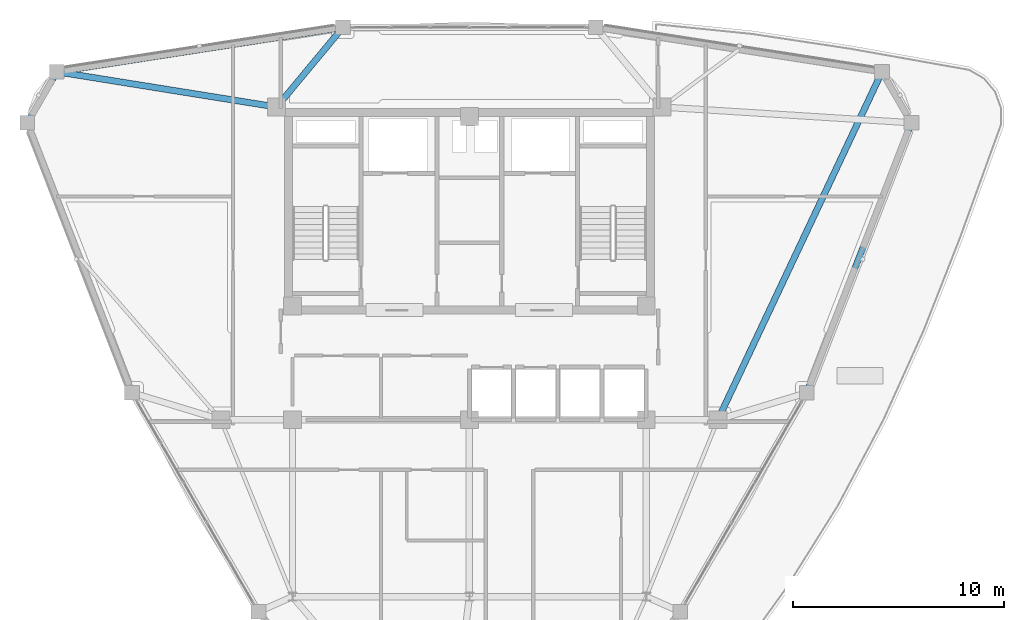
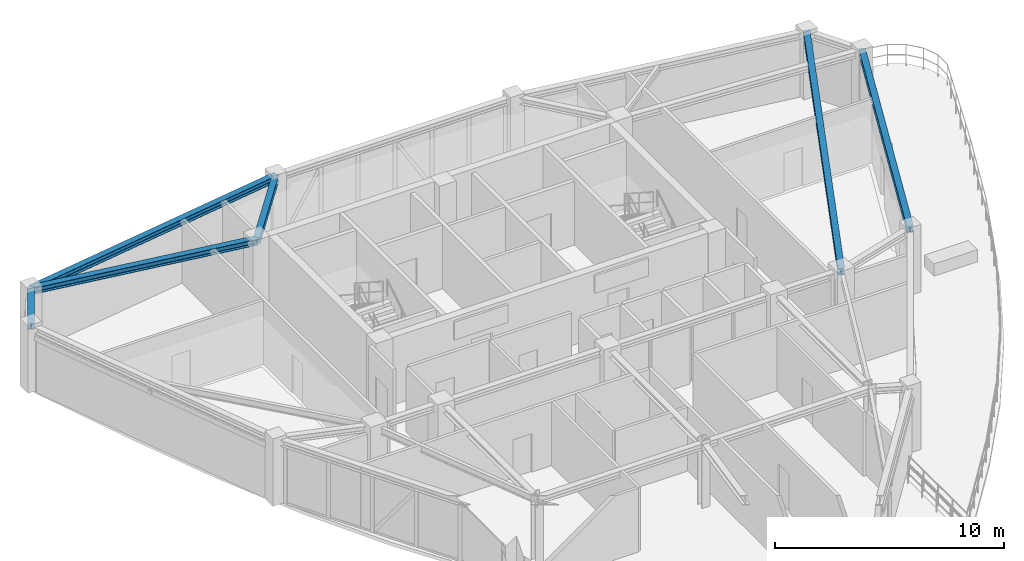
# One storey, part 8 of 16: 6 beams.
"""IFC4 building model written with IfcOpenShell, lengths in metres."""

from ifc_helpers import new_model, si_unit, derived_unit, direction, frame, origin, origin_2d, place, context, subcontext, project, spatial, i_section, extrude, source, transform, mapped, material, material_profile, profile_set, type_object, element, save


model = new_model("IFC4")

# Units and contexts
model_context = context("Model", 3, precision=1e-05, world=origin(), true_north=direction((0.0, 1.0)))
body_context = subcontext(model_context, "Body", "Model", "MODEL_VIEW")
ifc_project = project(units=[si_unit("LENGTHUNIT", "METRE"), si_unit("AREAUNIT", "SQUARE_METRE"), si_unit("VOLUMEUNIT", "CUBIC_METRE"), si_unit("PLANEANGLEUNIT", "RADIAN"), si_unit("MASSUNIT", "GRAM", prefix="KILO"), derived_unit("THERMALTRANSMITTANCEUNIT", [(si_unit("POWERUNIT", "WATT"), 1), (si_unit("LENGTHUNIT", "METRE"), -2), (si_unit("THERMODYNAMICTEMPERATUREUNIT", "KELVIN"), -1)])], contexts=[model_context])

# Site, building, storey
site_placement = place(None, origin())
site = spatial("IfcSite", under=ifc_project, at=site_placement, CompositionType="ELEMENT")
building_placement = place(site_placement, origin())
building = spatial("IfcBuilding", under=site, at=building_placement, Name="Korsvarv Bourse and Concert Hall", CompositionType="ELEMENT")
storey_placement = place(building_placement, frame((0.0, 0.0, 243.0)))
storey = spatial("IfcBuildingStorey", under=building, at=storey_placement, Name="L63", CompositionType="ELEMENT", Elevation=243.0)

# Beams
ifc_material = material(Name="Steel S355", Category="steel")
ifc_material_profile = material_profile(ifc_material, i_section(OverallWidth=0.300048828125, OverallDepth=0.330078125, WebThickness=0.009521484375, FlangeThickness=0.0166015625, FilletRadius=0.02099609375, at=origin_2d()), Name="HEA 340")
ifc_profile_set = profile_set([ifc_material_profile], Name="Steel S355")
beam_type = type_object("IfcBeamType", Name="BM-HEA340", PredefinedType="BEAM", material=ifc_profile_set)
shared_shape_1 = source(origin(), body_context, "Body", "SweptSolid", [
    extrude(i_section(OverallWidth=0.300048828125, OverallDepth=0.330078125, WebThickness=0.009521484375, FlangeThickness=0.0166015625, FilletRadius=0.02099609375, at=origin_2d()), origin(), (0.0, 0.0, 1.0), 2.794921875),
])
beam_1_placement = place(storey_placement, frame((16.40966796875, 48.924072265625, 3.2451171875), z_axis=(-0.500009789943, -0.866019751484, 0.0), x_axis=(0.866019751484, -0.500009789943, 0.0)))
element("IfcBeam", 1, at=beam_1_placement, inside=storey, type_object=beam_type, Name="L63 beam B-12", PredefinedType="BEAM", context=body_context, shape_type="MappedRepresentation", body=[
    mapped(shared_shape_1, transform((0.0, 0.0, 0.0), scale=1.0)),
])
shared_shape_2 = source(origin(), body_context, "Body", "SweptSolid", [
    extrude(i_section(OverallWidth=0.300048828125, OverallDepth=0.330078125, WebThickness=0.009521484375, FlangeThickness=0.0166015625, FilletRadius=0.02099609375, at=origin_2d()), origin(), (0.0, 0.0, 1.0), 13.74853515625),
])
for number, where, z_axis, x_axis, name in (
    (2, (29.99560546875, 51.03271484375, 3.2451171875), (-0.988168614185, -0.153371411744, 0.0), (0.153371411744, -0.988168614185, 0.0), "L63 beam B-12"),
    (3, (52.02099609375, 33.68359375, 3.2451171875), (0.361259117053, 0.932465468715, 0.0), (-0.932465468715, 0.361259117053, 0.0), "L63 beam B-12"),
):
    element("IfcBeam", number, at=place(storey_placement, frame(where, z_axis=z_axis, x_axis=x_axis)), inside=storey, type_object=beam_type, Name=name, PredefinedType="BEAM", context=body_context, shape_type="MappedRepresentation", body=[
        mapped(shared_shape_2, transform((0.0, 0.0, 0.0), scale=1.0)),
    ])
shared_shape_3 = source(origin(), body_context, "Body", "SweptSolid", [
    extrude(i_section(OverallWidth=0.300048828125, OverallDepth=0.330078125, WebThickness=0.009521484375, FlangeThickness=0.0166015625, FilletRadius=0.02099609375, at=origin_2d()), origin(), (0.0, 0.0, 1.0), 18.2685546875),
])
beam_2_placement = place(storey_placement, frame((55.59033203125, 48.924072265625, 3.2451171875), z_axis=(-0.426433445871, -0.904518941893, 0.0), x_axis=(0.904518941893, -0.426433445871, 0.0)))
element("IfcBeam", 4, at=beam_2_placement, inside=storey, type_object=beam_type, Name="L63 beam B-12", PredefinedType="BEAM", context=body_context, shape_type="MappedRepresentation", body=[
    mapped(shared_shape_3, transform((0.0, 0.0, 0.0), scale=1.0)),
])
shared_shape_4 = source(origin(), body_context, "Body", "SweptSolid", [
    extrude(i_section(OverallWidth=0.300048828125, OverallDepth=0.330078125, WebThickness=0.009521484375, FlangeThickness=0.0166015625, FilletRadius=0.02099609375, at=origin_2d()), origin(), (0.0, 0.0, 1.0), 4.919677734375),
])
beam_3_placement = place(storey_placement, frame((29.99560546875, 51.03271484375, 3.2451171875), z_axis=(-0.6393737664, -0.768896083251, 0.0), x_axis=(0.768896083251, -0.6393737664, 0.0)))
element("IfcBeam", 5, at=beam_3_placement, inside=storey, type_object=beam_type, Name="L63 beam B-12", PredefinedType="BEAM", context=body_context, shape_type="MappedRepresentation", body=[
    mapped(shared_shape_4, transform((0.0, 0.0, 0.0), scale=1.0)),
])
shared_shape_5 = source(origin(), body_context, "Body", "SweptSolid", [
    extrude(i_section(OverallWidth=0.300048828125, OverallDepth=0.330078125, WebThickness=0.009521484375, FlangeThickness=0.0166015625, FilletRadius=0.02099609375, at=origin_2d()), origin(), (0.0, 0.0, 1.0), 10.57373046875),
])
beam_4_placement = place(storey_placement, frame((16.40966796875, 48.924072265625, 3.2451171875), z_axis=(0.987387409565, -0.158322782419, 0.0), x_axis=(0.158322782419, 0.987387409565, 0.0)))
element("IfcBeam", 6, at=beam_4_placement, inside=storey, type_object=beam_type, Name="L63 beam B-12", PredefinedType="BEAM", context=body_context, shape_type="MappedRepresentation", body=[
    mapped(shared_shape_5, transform((0.0, 0.0, 0.0), scale=1.0)),
])

save(model, "model.ifc")
